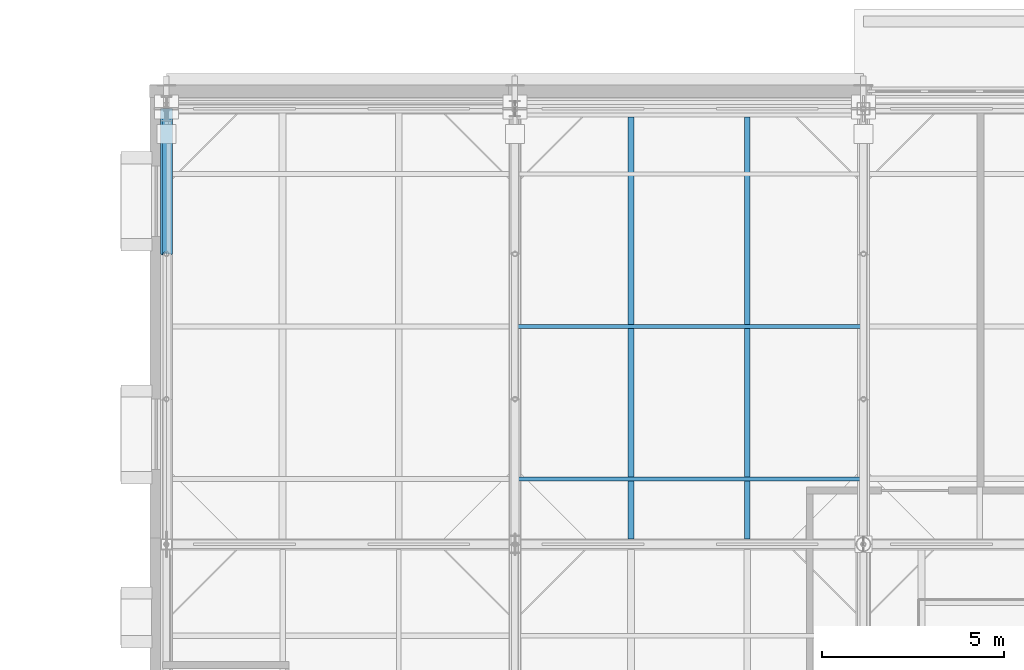
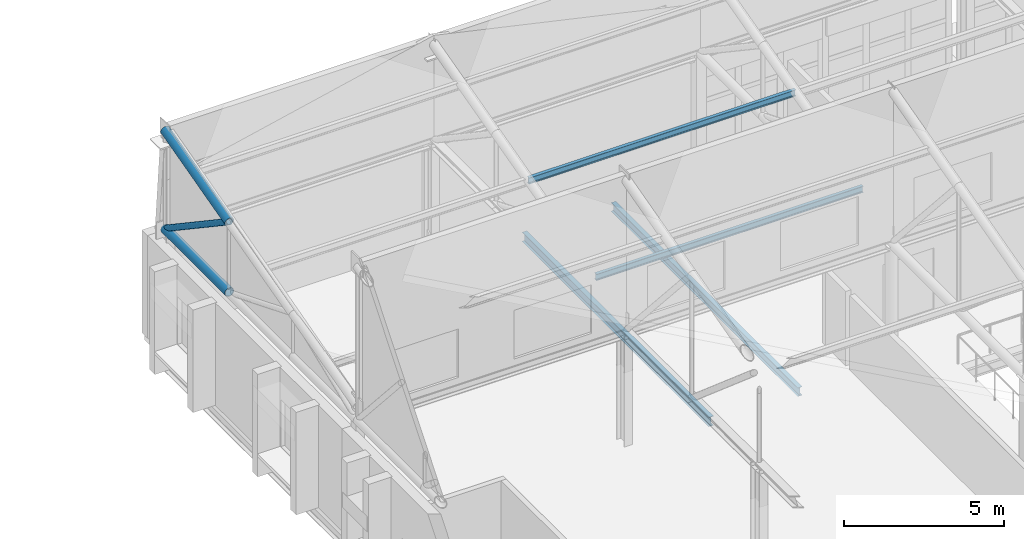
# One storey, part 34 of 89: 5 members, 2 beams.
"""IFC4 building model written with IfcOpenShell, lengths in metres."""

from ifc_helpers import new_model, si_unit, direction, frame, origin, origin_2d, place, context, subcontext, project, spatial, hollow_circle, i_section, extrude, material, material_profile, profile_set, type_object, element, save


model = new_model("IFC4")

# Units and contexts
model_context = context("Model", 3, precision=1e-05, world=origin(), true_north=direction((0.0, 1.0)))
body_context = subcontext(model_context, "Body", "Model", "MODEL_VIEW")
ifc_project = project(units=[si_unit("LENGTHUNIT", "METRE"), si_unit("AREAUNIT", "SQUARE_METRE"), si_unit("VOLUMEUNIT", "CUBIC_METRE"), si_unit("PLANEANGLEUNIT", "RADIAN"), si_unit("MASSUNIT", "GRAM", prefix="KILO")], contexts=[model_context])

# Site, building, storey
site_placement = place(None, origin())
site = spatial("IfcSite", under=ifc_project, at=site_placement, CompositionType="ELEMENT")
building_placement = place(site_placement, origin())
building = spatial("IfcBuilding", under=site, at=building_placement, Name="Zereglee Splitstone Museum", CompositionType="ELEMENT")
storey_placement = place(building_placement, frame((0.0, 0.0, 21.300048828125)))
storey = spatial("IfcBuildingStorey", under=building, at=storey_placement, Name="L04", CompositionType="ELEMENT", Elevation=21.300048828125)

# Members
ifc_material_1 = material(Name="Steel S355J2H", Category="steel")
ifc_material_profile_1 = material_profile(ifc_material_1, hollow_circle(Radius=0.109619140625, WallThickness=0.010009765625, at=origin_2d()), Name="CHS 219.1x10")
ifc_profile_set_1 = profile_set([ifc_material_profile_1], Name="Steel S355J2H")
member_type_1 = type_object("IfcMemberType", Name="TB-03", PredefinedType="BRACE", material=ifc_profile_set_1)
member_1_placement = place(storey_placement, frame((78.0, 50.39990234375, 4.199951171875), z_axis=(0.0, -0.830448263685, 0.557095755991), x_axis=(1.0, 0.0, 0.0)))
element("IfcMember", 1, at=member_1_placement, inside=storey, type_object=member_type_1, Name="Roof Truss ST-01 Diagonal 3.3", PredefinedType="BRACE", context=body_context, shape_type="SweptSolid", body=[
    extrude(hollow_circle(Radius=0.109619140625, WallThickness=0.010009765625, at=origin_2d()), origin(), (0.0, 0.0, 1.0), 4.816650390625),
])
ifc_material_profile_2 = material_profile(ifc_material_1, hollow_circle(Radius=0.161865234375, WallThickness=0.01611328125, at=origin_2d()), Name="CHS 323.9x16")
ifc_profile_set_2 = profile_set([ifc_material_profile_2], Name="Steel S355J2H")
member_type_2 = type_object("IfcMemberType", Name="TC-05", PredefinedType="CHORD", material=ifc_profile_set_2)
member_2_placement = place(storey_placement, frame((78.0, 46.39990234375, 4.199951171875), z_axis=(0.0, 1.0, 0.0), x_axis=(-1.0, 0.0, 0.0)))
element("IfcMember", 2, at=member_2_placement, inside=storey, type_object=member_type_2, Name="Roof Truss ST-01 Bottom Chord 3.3", PredefinedType="CHORD", context=body_context, shape_type="SweptSolid", body=[
    extrude(hollow_circle(Radius=0.161865234375, WallThickness=0.01611328125, at=origin_2d()), origin(), (0.0, 0.0, 1.0), 4.0),
])
member_3_placement = place(storey_placement, frame((78.0, 46.39990234375, 6.88330078125), z_axis=(0.0, 0.966235918422, 0.257658979955), x_axis=(-1.0, 0.0, 0.0)))
element("IfcMember", 3, at=member_3_placement, inside=storey, type_object=member_type_2, Name="Roof Truss ST-01 Top Chord 3.3", PredefinedType="CHORD", context=body_context, shape_type="SweptSolid", body=[
    extrude(hollow_circle(Radius=0.161865234375, WallThickness=0.01611328125, at=origin_2d()), origin(), (0.0, 0.0, 1.0), 4.139892578125),
])

# Beams
ifc_material_2 = material(Name="Steel S355J2", Category="steel")
ifc_material_profile_3 = material_profile(ifc_material_2, i_section(OverallWidth=0.159912109375, OverallDepth=0.330078125, WebThickness=0.007568359375, FlangeThickness=0.011474609375, FilletRadius=0.01806640625, at=origin_2d()), Name="IPE 330")
ifc_profile_set_3 = profile_set([ifc_material_profile_3], Name="Steel S355J2")
beam_type_1 = type_object("IfcBeamType", Name="BJ-05", PredefinedType="JOIST", material=ifc_profile_set_3)
beam_1_placement = place(storey_placement, frame((94.0, 38.550048828125, -0.425048828125), z_axis=(0.0, 1.0, 0.0), x_axis=(-1.0, 0.0, 0.0)))
element("IfcBeam", 4, at=beam_1_placement, inside=storey, type_object=beam_type_1, Name="Secondary Floor Joist L04-1551", PredefinedType="JOIST", context=body_context, shape_type="SweptSolid", body=[
    extrude(i_section(OverallWidth=0.159912109375, OverallDepth=0.330078125, WebThickness=0.007568359375, FlangeThickness=0.011474609375, FilletRadius=0.01806640625, at=origin_2d()), origin(), (0.0, 0.0, 1.0), 11.625),
])
ifc_material_profile_4 = material_profile(ifc_material_2, i_section(OverallWidth=0.169921875, OverallDepth=0.360107421875, WebThickness=0.008056640625, FlangeThickness=0.0126953125, FilletRadius=0.01806640625, at=origin_2d()), Name="IPE 360")
ifc_profile_set_4 = profile_set([ifc_material_profile_4], Name="Steel S355J2")
beam_type_2 = type_object("IfcBeamType", Name="BJ-04", PredefinedType="JOIST", material=ifc_profile_set_4)
beam_2_placement = place(storey_placement, frame((90.800048828125, 38.550048828125, -0.43994140625), z_axis=(0.0, 1.0, 0.0), x_axis=(-1.0, 0.0, 0.0)))
element("IfcBeam", 5, at=beam_2_placement, inside=storey, type_object=beam_type_2, Name="Secondary Floor Joist L04-1550", PredefinedType="JOIST", context=body_context, shape_type="SweptSolid", body=[
    extrude(i_section(OverallWidth=0.169921875, OverallDepth=0.360107421875, WebThickness=0.008056640625, FlangeThickness=0.0126953125, FilletRadius=0.01806640625, at=origin_2d()), origin(), (0.0, 0.0, 1.0), 11.625),
])

# Members
ifc_material_profile_5 = material_profile(ifc_material_2, i_section(OverallWidth=0.1201171875, OverallDepth=0.239990234375, WebThickness=0.006103515625, FlangeThickness=0.009765625, FilletRadius=0.014892578125, at=origin_2d()), Name="IPE 240")
ifc_profile_set_5 = profile_set([ifc_material_profile_5], Name="Steel S355J2")
member_type_3 = type_object("IfcMemberType", Name="PR-03", PredefinedType="PURLIN", material=ifc_profile_set_5)
for number, where, z_axis, x_axis, name in (
    (6, (87.60009765625, 40.199951171875, 5.18408203125), (1.0, 0.0, 0.0), (0.0, 1.0, 0.0), "Sawtooth Roof Purlin B2-S3-1"),
    (7, (87.60009765625, 44.39990234375, 6.30419921875), (1.0, 0.0, 0.0), (0.0, 1.0, 0.0), "Sawtooth Roof Purlin B2-S3-2"),
):
    element("IfcMember", number, at=place(storey_placement, frame(where, z_axis=z_axis, x_axis=x_axis)), inside=storey, type_object=member_type_3, Name=name, PredefinedType="PURLIN", context=body_context, shape_type="SweptSolid", body=[
        extrude(i_section(OverallWidth=0.1201171875, OverallDepth=0.239990234375, WebThickness=0.006103515625, FlangeThickness=0.009765625, FilletRadius=0.014892578125, at=origin_2d()), origin(), (0.0, 0.0, 1.0), 9.599853515625),
    ])

save(model, "model.ifc")
